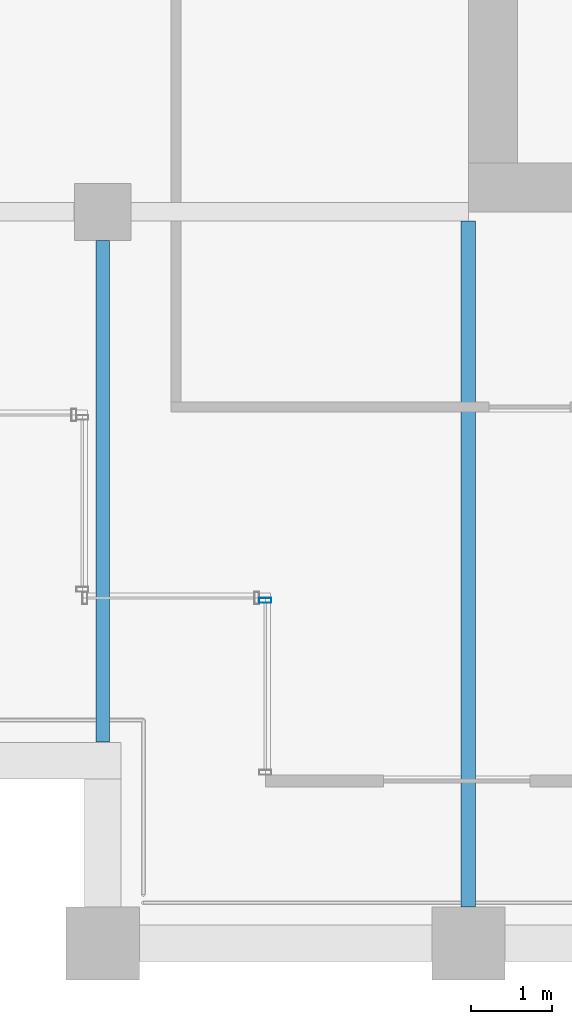
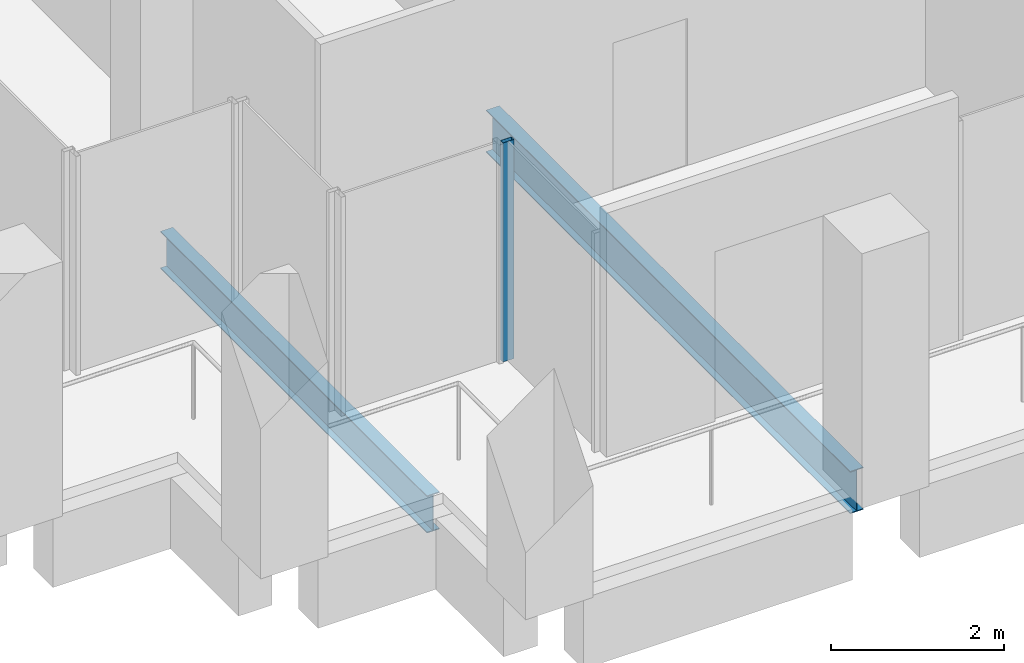
# One storey, part 29 of 40: 2 beams, 1 member, 1 element without a shape of its own.
"""IFC4 building model written with IfcOpenShell, lengths in metres."""

from ifc_helpers import new_model, si_unit, direction, frame, origin, origin_2d, place, context, subcontext, project, spatial, hollow_rectangle, i_section, extrude, material, material_profile, profile_set, type_object, element, aggregate, save


model = new_model("IFC4")

# Units and contexts
model_context = context("Model", 3, precision=1e-05, world=origin(), true_north=direction((0.0, 1.0)))
body_context = subcontext(model_context, "Body", "Model", "MODEL_VIEW")
ifc_project = project(units=[si_unit("LENGTHUNIT", "METRE"), si_unit("AREAUNIT", "SQUARE_METRE"), si_unit("VOLUMEUNIT", "CUBIC_METRE"), si_unit("PLANEANGLEUNIT", "RADIAN"), si_unit("MASSUNIT", "GRAM", prefix="KILO")], contexts=[model_context])

# Site, building, storey
site_placement = place(None, origin())
site = spatial("IfcSite", under=ifc_project, at=site_placement, CompositionType="ELEMENT")
building_placement = place(site_placement, origin())
building = spatial("IfcBuilding", under=site, at=building_placement, Name="Altepetl Exchange Towers", CompositionType="ELEMENT")
storey_placement = place(building_placement, frame((0.0, 0.0, 147.39990234375)))
storey = spatial("IfcBuildingStorey", under=building, at=storey_placement, Name="L36", CompositionType="ELEMENT", Elevation=147.39990234375)

# Beams
ifc_material_1 = material(Name="Steel S355", Category="steel")
ifc_material_profile_1 = material_profile(ifc_material_1, i_section(OverallWidth=0.166015625, OverallDepth=0.529052734375, WebThickness=0.009765625, FlangeThickness=0.013671875, at=origin_2d()), Name="W21X50")
ifc_profile_set_1 = profile_set([ifc_material_profile_1], Name="Steel S355")
beam_type_1 = type_object("IfcBeamType", Name="Floor beam W21X50", PredefinedType="BEAM", material=ifc_profile_set_1)
beam_1_placement = place(storey_placement, frame((99.0, 29.47509765625, -0.414306640625), z_axis=(0.0, 1.0, 0.0), x_axis=(-1.0, 0.0, 0.0)))
element("IfcBeam", 1, at=beam_1_placement, inside=storey, type_object=beam_type_1, Name="bm:B:L36:000", PredefinedType="BEAM", context=body_context, shape_type="SweptSolid", body=[
    extrude(i_section(OverallWidth=0.166015625, OverallDepth=0.529052734375, WebThickness=0.009765625, FlangeThickness=0.013671875, at=origin_2d()), origin(), (0.0, 0.0, 1.0), 6.1748046875),
])
ifc_material_profile_2 = material_profile(ifc_material_1, i_section(OverallWidth=0.177978515625, OverallDepth=0.59912109375, WebThickness=0.010009765625, FlangeThickness=0.0126953125, at=origin_2d()), Name="W24X55")
ifc_profile_set_2 = profile_set([ifc_material_profile_2], Name="Steel S355")
beam_type_2 = type_object("IfcBeamType", Name="Floor beam W24X55", PredefinedType="BEAM", material=ifc_profile_set_2)
beam_2_placement = place(storey_placement, frame((103.5, 27.449951171875, -0.449462890625), z_axis=(0.0, 1.0, 0.0), x_axis=(-1.0, 0.0, 0.0)))
element("IfcBeam", 2, at=beam_2_placement, inside=storey, type_object=beam_type_2, Name="bm:B:L36:001", PredefinedType="BEAM", context=body_context, shape_type="SweptSolid", body=[
    extrude(i_section(OverallWidth=0.177978515625, OverallDepth=0.59912109375, WebThickness=0.010009765625, FlangeThickness=0.0126953125, at=origin_2d()), origin(), (0.0, 0.0, 1.0), 8.43603515625),
])

# Curtain wall, member
ifc_material_2 = material(Name="Aluminium 6063-T6 glazing", Category="aluminium")
curtain_wall_type = type_object("IfcCurtainWallType", Name="Loggia glazing system", PredefinedType="NOTDEFINED", material=ifc_material_2)
curtain_wall_placement = place(storey_placement, origin())
curtain_wall = element("IfcCurtainWall", 3, at=curtain_wall_placement, inside=storey, type_object=curtain_wall_type, Name="CW1 run", PredefinedType="NOTDEFINED")
ifc_material_3 = material(Name="Aluminium 6063-T6", Category="aluminium")
ifc_material_profile_3 = material_profile(ifc_material_3, hollow_rectangle(XDim=0.06005859375, YDim=0.14990234375, WallThickness=0.0029296875, at=origin_2d()), Name="Mullion 60x150 aluminium")
ifc_profile_set_3 = profile_set([ifc_material_profile_3], Name="Aluminium 6063-T6")
member_type = type_object("IfcMemberType", Name="Mullion 60x150 aluminium", PredefinedType="MULLION", material=ifc_profile_set_3)
member_placement = place(storey_placement, frame((101.0, 31.219970703125, 0.0), z_axis=(0.0, 0.0, 1.0), x_axis=(0.0, -1.0, 0.0)))
member = element("IfcMember", 4, at=member_placement, type_object=member_type, Name="MU1 mullion", PredefinedType="MULLION", context=body_context, shape_type="SweptSolid", body=[
    extrude(hollow_rectangle(XDim=0.06005859375, YDim=0.14990234375, WallThickness=0.0029296875, at=origin_2d()), origin(), (0.0, 0.0, 1.0), 3.10009765625),
])
aggregate(curtain_wall, [member])

save(model, "model.ifc")
